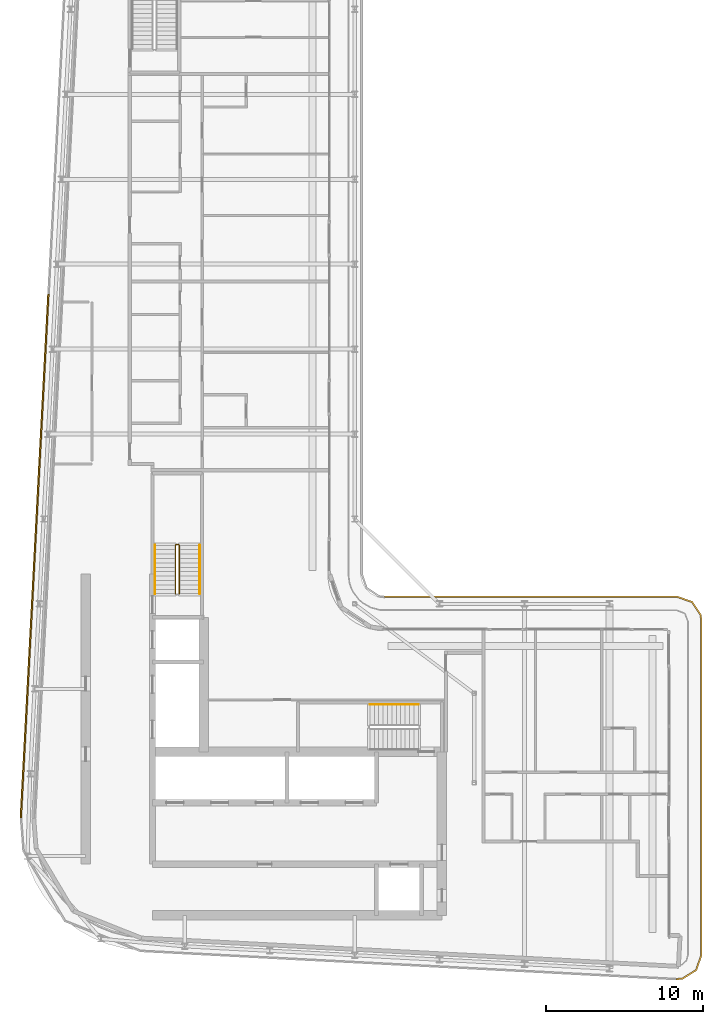
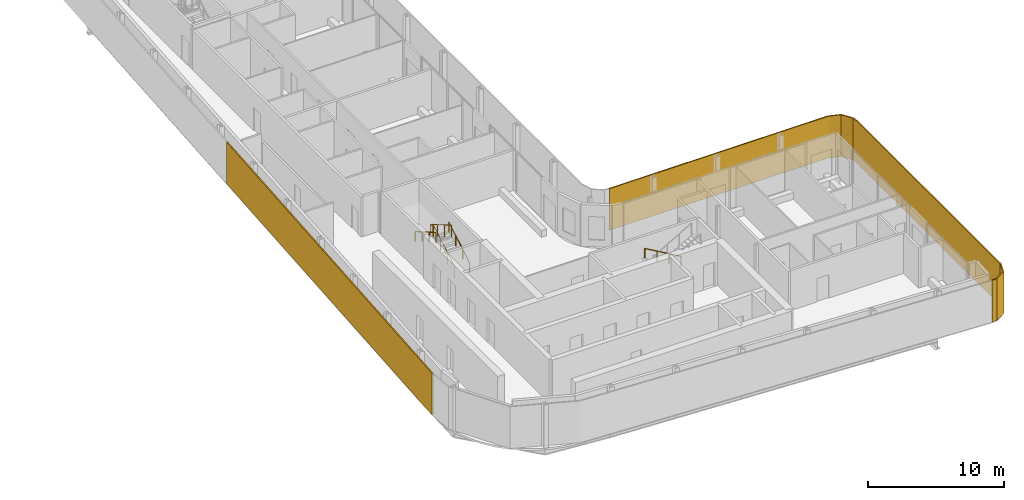
# One storey, part 18 of 21: 4 railings, 2 shading devices.
"""IFC4 building model written with IfcOpenShell, lengths in metres."""

from ifc_helpers import new_model, si_unit, direction, frame, origin, origin_2d, place, context, subcontext, project, spatial, polyline, rectangle, circle, outline, extrude, material, layer, layer_set, type_object, element, save


model = new_model("IFC4")

# Units and contexts
model_context = context("Model", 3, precision=1e-05, world=origin(), true_north=direction((0.0, 1.0)))
body_context = subcontext(model_context, "Body", "Model", "MODEL_VIEW")
ifc_project = project(units=[si_unit("LENGTHUNIT", "METRE"), si_unit("AREAUNIT", "SQUARE_METRE"), si_unit("VOLUMEUNIT", "CUBIC_METRE"), si_unit("PLANEANGLEUNIT", "RADIAN"), si_unit("MASSUNIT", "GRAM", prefix="KILO")], contexts=[model_context])

# Site, building, storey
site_placement = place(None, origin())
site = spatial("IfcSite", under=ifc_project, at=site_placement, CompositionType="ELEMENT")
building_placement = place(site_placement, origin())
building = spatial("IfcBuilding", under=site, at=building_placement, Name="Kheshtan School and Residences Tower", CompositionType="ELEMENT")
storey_placement = place(building_placement, frame((0.0, 0.0, 298.10009765625)))
storey = spatial("IfcBuildingStorey", under=building, at=storey_placement, Name="L70", CompositionType="ELEMENT", Elevation=298.10009765625)

# Shading devices
ifc_material_1 = material(Name="Terracotta baguette, extruded ceramic", Category="masonry")
ifc_layer_1 = layer(ifc_material_1, 0.10009765625)
ifc_layer_set_1 = layer_set([ifc_layer_1], Name="Ledge screen, terracotta baguettes")
shading_device_type_1 = type_object("IfcShadingDeviceType", Name="Ledge screen, terracotta baguettes", PredefinedType="USERDEFINED", material=ifc_layer_set_1)
shading_device_1_placement = place(storey_placement, frame((27.24609375, 48.638916015625, 0.0), z_axis=(0.0, 0.0, 1.0), x_axis=(0.052562536748, 0.998617634398, 0.0)))
element("IfcShadingDevice", 1, at=shading_device_1_placement, inside=storey, type_object=shading_device_type_1, Name="Screen L70 4", ObjectType="BAGUETTE", PredefinedType="USERDEFINED", context=body_context, shape_type="SweptSolid", body=[
    extrude(rectangle(XDim=33.341064453125, YDim=0.10009765625, at=origin_2d()), origin(), (0.0, 0.0, 1.0), 3.75),
])
ifc_material_2 = material(Name="Terracotta lattice, extruded ceramic", Category="masonry")
ifc_layer_2 = layer(ifc_material_2, 0.10009765625)
ifc_layer_set_2 = layer_set([ifc_layer_2], Name="Loggia screen, terracotta lattice")
shading_device_type_2 = type_object("IfcShadingDeviceType", Name="Loggia screen, terracotta lattice", PredefinedType="USERDEFINED", material=ifc_layer_set_2)
shading_device_2_placement = place(storey_placement, origin())
element("IfcShadingDevice", 2, at=shading_device_2_placement, inside=storey, type_object=shading_device_type_2, Name="Screen L70 2", ObjectType="SCREEN", PredefinedType="USERDEFINED", context=body_context, shape_type="SweptSolid", body=[
    extrude(outline(polyline([(49.5, 46.0), (68.10009765625, 46.0), (69.012939453125, 45.68994140625), (69.549072265625, 44.887939453125), (69.60009765625, 44.5), (69.60009765625, 23.285888671875), (69.27001953125, 22.346923828125), (68.424072265625, 21.822021484375), (68.02099609375, 21.7880859375), (68.029052734375, 21.68798828125), (68.4560546875, 21.72412109375), (69.35302734375, 22.281005859375), (69.699951171875, 23.26904296875), (69.699951171875, 44.507080078125), (69.64501953125, 44.924072265625), (69.076904296875, 45.77392578125), (68.116943359375, 46.10009765625), (49.5, 46.10009765625), (49.5, 46.0)])), origin(), (0.0, 0.0, 1.0), 3.75),
])

# Railings
ifc_material_3 = material(Name="Stainless steel balustrade", Category="steel")
railing_type_1 = type_object("IfcRailingType", Name="Stair guard 1100", PredefinedType="GUARDRAIL", material=ifc_material_3)
railing_1_placement = place(storey_placement, frame((36.449951171875, 46.25, 0.162353515625)))
element("IfcRailing", 3, at=railing_1_placement, inside=storey, type_object=railing_type_1, Name="L70 ST2 stair guard 1", PredefinedType="GUARDRAIL", context=body_context, shape_type="SweptSolid", body=[
    extrude(circle(Radius=0.02392578125, at=origin_2d()), frame((0.0, 0.0, 1.076171875), z_axis=(0.0, 0.864890721111, 0.501960198159), x_axis=(-1.0, 0.0, 0.0)), (0.0, 0.0, 1.0), 3.561279296875),
    extrude(circle(Radius=0.02392578125, at=origin_2d()), frame((0.0, 3.080078125, 2.86376953125), z_axis=(-0.708833529934, 0.705375805398, 0.0), x_axis=(-0.705375805398, -0.708833529934, 0.0)), (0.0, 0.0, 1.0), 0.070556640625),
    extrude(circle(Radius=0.02392578125, at=origin_2d()), frame((-0.050048828125, 3.1298828125, 2.86376953125), z_axis=(-1.0, 0.0, 0.0), x_axis=(0.0, -1.0, 0.0)), (0.0, 0.0, 1.0), 0.14990234375),
    extrude(circle(Radius=0.02392578125, at=origin_2d()), frame((-0.199951171875, 3.1298828125, 2.86376953125), z_axis=(-0.282693820306, -0.281314826061, 0.917031173188), x_axis=(0.705375805398, -0.708833529934, 0.0)), (0.0, 0.0, 1.0), 0.177001953125),
    extrude(circle(Radius=0.02392578125, at=origin_2d()), frame((-0.25, 3.080078125, 3.02587890625), z_axis=(0.0, -0.864890721111, 0.501960198159), x_axis=(1.0, 0.0, 0.0)), (0.0, 0.0, 1.0), 3.561279296875),
    extrude(circle(Radius=0.02099609375, at=origin_2d()), origin(), (0.0, 0.0, 1.0), 1.052001953125),
    extrude(circle(Radius=0.02099609375, at=origin_2d()), frame((0.0, 1.026611328125, 0.595947265625)), (0.0, 0.0, 1.0), 1.052001953125),
    extrude(circle(Radius=0.02099609375, at=origin_2d()), frame((0.0, 2.053466796875, 1.191650390625)), (0.0, 0.0, 1.0), 1.052001953125),
    extrude(circle(Radius=0.02099609375, at=origin_2d()), frame((0.0, 3.080078125, 1.78759765625)), (0.0, 0.0, 1.0), 1.052001953125),
    extrude(circle(Radius=0.02099609375, at=origin_2d()), frame((-0.050048828125, 3.1298828125, 1.78759765625)), (0.0, 0.0, 1.0), 1.052001953125),
    extrude(circle(Radius=0.02099609375, at=origin_2d()), frame((-0.199951171875, 3.1298828125, 1.78759765625)), (0.0, 0.0, 1.0), 1.052001953125),
    extrude(circle(Radius=0.02099609375, at=origin_2d()), frame((-0.25, 3.080078125, 1.949951171875)), (0.0, 0.0, 1.0), 1.052001953125),
    extrude(circle(Radius=0.02099609375, at=origin_2d()), frame((-0.25, 2.053466796875, 2.5458984375)), (0.0, 0.0, 1.0), 1.052001953125),
    extrude(circle(Radius=0.02099609375, at=origin_2d()), frame((-0.25, 1.026611328125, 3.1416015625)), (0.0, 0.0, 1.0), 1.052001953125),
    extrude(circle(Radius=0.02099609375, at=origin_2d()), frame((-0.25, 0.0, 3.737548828125)), (0.0, 0.0, 1.0), 1.052001953125),
])
ifc_material_4 = material(Name="Stainless steel handrail", Category="steel")
railing_type_2 = type_object("IfcRailingType", Name="Stair handrail 900", PredefinedType="HANDRAIL", material=ifc_material_4)
railing_2_placement = place(storey_placement, frame((51.64990234375, 39.199951171875, 0.162353515625)))
element("IfcRailing", 4, at=railing_2_placement, inside=storey, type_object=railing_type_2, Name="L70 ST1 stair handrail 1", PredefinedType="HANDRAIL", context=body_context, shape_type="SweptSolid", body=[
    extrude(circle(Radius=0.02392578125, at=origin_2d()), frame((0.0, 0.0, 0.8759765625), z_axis=(-0.864873446163, 0.0, 0.501989962173), x_axis=(0.0, -1.0, 0.0)), (0.0, 0.0, 1.0), 3.56103515625),
    extrude(circle(Radius=0.02099609375, at=origin_2d()), origin(), (0.0, 0.0, 1.0), 0.851806640625),
    extrude(circle(Radius=0.02099609375, at=origin_2d()), frame((-1.026611328125, 0.0, 0.595947265625)), (0.0, 0.0, 1.0), 0.851806640625),
    extrude(circle(Radius=0.02099609375, at=origin_2d()), frame((-2.05322265625, 0.0, 1.191650390625)), (0.0, 0.0, 1.0), 0.851806640625),
    extrude(circle(Radius=0.02099609375, at=origin_2d()), frame((-3.079833984375, 0.0, 1.78759765625)), (0.0, 0.0, 1.0), 0.851806640625),
])
railing_3_placement = place(storey_placement, frame((37.75, 46.25, 0.162353515625)))
element("IfcRailing", 5, at=railing_3_placement, inside=storey, type_object=railing_type_2, Name="L70 ST2 stair handrail 1", PredefinedType="HANDRAIL", context=body_context, shape_type="SweptSolid", body=[
    extrude(circle(Radius=0.02392578125, at=origin_2d()), frame((0.0, 0.0, 0.8759765625), z_axis=(0.0, 0.864890721111, 0.501960198159), x_axis=(-1.0, 0.0, 0.0)), (0.0, 0.0, 1.0), 3.561279296875),
    extrude(circle(Radius=0.02099609375, at=origin_2d()), origin(), (0.0, 0.0, 1.0), 0.851806640625),
    extrude(circle(Radius=0.02099609375, at=origin_2d()), frame((0.0, 1.026611328125, 0.595947265625)), (0.0, 0.0, 1.0), 0.851806640625),
    extrude(circle(Radius=0.02099609375, at=origin_2d()), frame((0.0, 2.053466796875, 1.191650390625)), (0.0, 0.0, 1.0), 0.851806640625),
    extrude(circle(Radius=0.02099609375, at=origin_2d()), frame((0.0, 3.080078125, 1.78759765625)), (0.0, 0.0, 1.0), 0.851806640625),
])
railing_4_placement = place(storey_placement, frame((34.89990234375, 49.330078125, 2.1123046875)))
element("IfcRailing", 6, at=railing_4_placement, inside=storey, type_object=railing_type_2, Name="L70 ST2 stair handrail 2", PredefinedType="HANDRAIL", context=body_context, shape_type="SweptSolid", body=[
    extrude(circle(Radius=0.02392578125, at=origin_2d()), frame((0.0, 0.0, 0.8759765625), z_axis=(0.0, -0.864890721111, 0.501960198159), x_axis=(1.0, 0.0, 0.0)), (0.0, 0.0, 1.0), 3.561279296875),
    extrude(circle(Radius=0.02099609375, at=origin_2d()), origin(), (0.0, 0.0, 1.0), 0.851806640625),
    extrude(circle(Radius=0.02099609375, at=origin_2d()), frame((0.0, -1.026611328125, 0.595947265625)), (0.0, 0.0, 1.0), 0.851806640625),
    extrude(circle(Radius=0.02099609375, at=origin_2d()), frame((0.0, -2.053466796875, 1.191650390625)), (0.0, 0.0, 1.0), 0.851806640625),
    extrude(circle(Radius=0.02099609375, at=origin_2d()), frame((0.0, -3.080078125, 1.78759765625)), (0.0, 0.0, 1.0), 0.851806640625),
])

save(model, "model.ifc")
